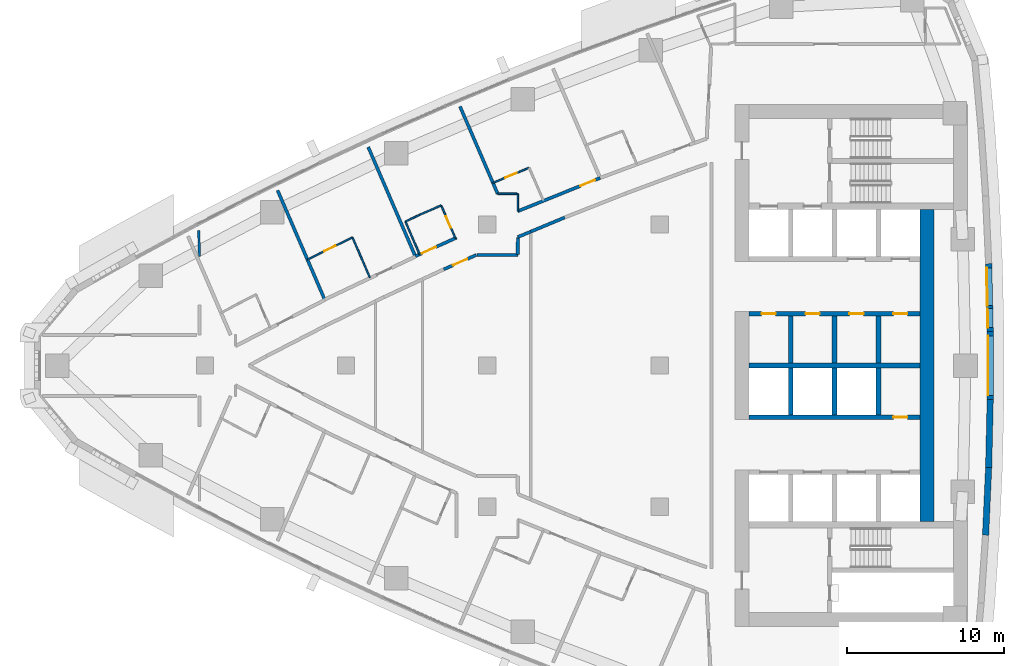
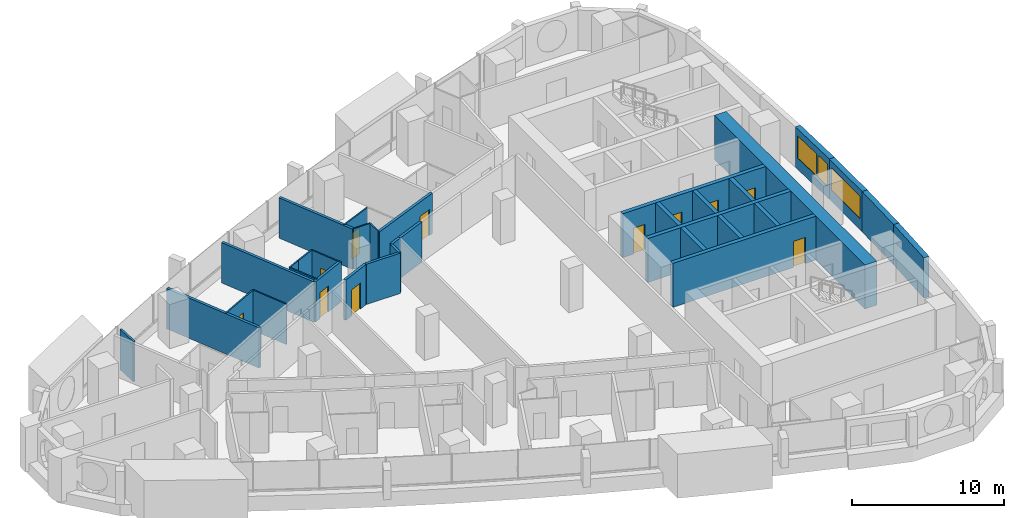
# One storey, part 11 of 17: 34 walls, 11 doors, 3 windows, 14 openings.
"""IFC4 building model written with IfcOpenShell, lengths in metres."""

from ifc_helpers import new_model, si_unit, direction, frame, frame_2d, origin, place, context, subcontext, project, spatial, polyline, rectangle, outline, extrude, material, layer, layer_set, type_object, element, fill, save


model = new_model("IFC4")

# Units and contexts
model_context = context("Model", 3, precision=1e-05, world=origin(), true_north=direction((0.0, 1.0)))
body_context = subcontext(model_context, "Body", "Model", "MODEL_VIEW")
ifc_project = project(units=[si_unit("LENGTHUNIT", "METRE"), si_unit("AREAUNIT", "SQUARE_METRE"), si_unit("VOLUMEUNIT", "CUBIC_METRE"), si_unit("PLANEANGLEUNIT", "RADIAN"), si_unit("MASSUNIT", "GRAM", prefix="KILO")], contexts=[model_context])

# Site, building, storey
site_placement = place(None, origin())
site = spatial("IfcSite", under=ifc_project, at=site_placement, CompositionType="ELEMENT")
building_placement = place(site_placement, origin())
building = spatial("IfcBuilding", under=site, at=building_placement, Name="Ostrand Prow Hotel Tower", CompositionType="ELEMENT")
storey_placement = place(building_placement, frame((0.0, 0.0, 151.5)))
storey = spatial("IfcBuildingStorey", under=building, at=storey_placement, Name="L37", CompositionType="ELEMENT", Elevation=151.5)

# Wall
ifc_material_1 = material(Name="Concrete C70/85", Category="concrete")
ifc_layer_1 = layer(ifc_material_1, 0.300048828125)
ifc_layer_set_1 = layer_set([ifc_layer_1], Name="Concrete C70/85")
wall_type_1 = type_object("IfcWallType", Name="Core wall 300 C70/85", PredefinedType="SHEAR", material=ifc_layer_set_1)
wall_1_placement = place(storey_placement, frame((50.699951171875, 0.0, 0.0), z_axis=(0.0, 0.0, 1.0), x_axis=(1.0, 0.0, 0.0)))
element("IfcWall", 1, at=wall_1_placement, inside=storey, type_object=wall_type_1, Name="Core wall PW-C", PredefinedType="SHEAR", context=body_context, shape_type="SweptSolid", body=[
    extrude(rectangle(XDim=10.900146484375, YDim=0.300048828125, at=frame_2d((5.4501953125, 0.0))), origin(), (0.0, 0.0, 1.0), 3.550048828125),
])

# Wall, openings, doors
wall_2_placement = place(storey_placement, frame((50.699951171875, 3.300048828125, 0.0), z_axis=(0.0, 0.0, 1.0), x_axis=(1.0, 0.0, 0.0)))
wall_2 = element("IfcWall", 2, at=wall_2_placement, inside=storey, type_object=wall_type_1, Name="Core wall PW-L1-N", PredefinedType="SHEAR", context=body_context, shape_type="SweptSolid", body=[
    extrude(rectangle(XDim=10.900146484375, YDim=0.300048828125, at=frame_2d((5.4501953125, 0.0))), origin(), (0.0, 0.0, 1.0), 3.550048828125),
])
opening_1_placement = place(wall_2_placement, frame((0.800048828125, 0.0, 0.0)))
opening_1 = element("IfcOpeningElement", 3, at=opening_1_placement, cuts=wall_2, Name="Opening FD2", PredefinedType="OPENING", context=body_context, shape_type="SweptSolid", body=[
    extrude(rectangle(XDim=0.89990234375, YDim=2.10009765625, at=frame_2d((0.449951171875, 1.050048828125))), frame((0.0, 0.159912109375, 0.0), z_axis=(0.0, -1.0, 0.0), x_axis=(1.0, 0.0, 0.0)), (0.0, 0.0, 1.0), 0.320068359375),
])
opening_2_placement = place(wall_2_placement, frame((3.60009765625, 0.0, 0.0)))
opening_2 = element("IfcOpeningElement", 4, at=opening_2_placement, cuts=wall_2, Name="Opening FD2", PredefinedType="OPENING", context=body_context, shape_type="SweptSolid", body=[
    extrude(rectangle(XDim=0.89990234375, YDim=2.10009765625, at=frame_2d((0.449951171875, 1.050048828125))), frame((0.0, 0.159912109375, 0.0), z_axis=(0.0, -1.0, 0.0), x_axis=(1.0, 0.0, 0.0)), (0.0, 0.0, 1.0), 0.320068359375),
])
opening_3_placement = place(wall_2_placement, frame((6.39990234375, 0.0, 0.0)))
opening_3 = element("IfcOpeningElement", 5, at=opening_3_placement, cuts=wall_2, Name="Opening FD2", PredefinedType="OPENING", context=body_context, shape_type="SweptSolid", body=[
    extrude(rectangle(XDim=0.89990234375, YDim=2.10009765625, at=frame_2d((0.449951171875, 1.050048828125))), frame((0.0, 0.159912109375, 0.0), z_axis=(0.0, -1.0, 0.0), x_axis=(1.0, 0.0, 0.0)), (0.0, 0.0, 1.0), 0.320068359375),
])
opening_4_placement = place(wall_2_placement, frame((9.199951171875, 0.0, 0.0)))
opening_4 = element("IfcOpeningElement", 6, at=opening_4_placement, cuts=wall_2, Name="Opening FD2", PredefinedType="OPENING", context=body_context, shape_type="SweptSolid", body=[
    extrude(rectangle(XDim=0.89990234375, YDim=2.10009765625, at=frame_2d((0.449951171875, 1.050048828125))), frame((0.0, 0.159912109375, 0.0), z_axis=(0.0, -1.0, 0.0), x_axis=(1.0, 0.0, 0.0)), (0.0, 0.0, 1.0), 0.320068359375),
])
ifc_material_2 = material(Name="Steel fire door", Category="steel")
door_type_1 = type_object("IfcDoorType", Name="Fire door 900 EI120", OperationType="SINGLE_SWING_LEFT", PredefinedType="DOOR", material=ifc_material_2)
door_1_placement = place(opening_1_placement, origin())
door_1 = element("IfcDoor", 7, at=door_1_placement, inside=storey, type_object=door_type_1, Name="DOOR", OperationType="SINGLE_SWING_LEFT", OverallHeight=2.10009765625, OverallWidth=0.89990234375, PredefinedType="DOOR", context=body_context, shape_type="SweptSolid", body=[
    extrude(rectangle(XDim=0.89990234375, YDim=2.10009765625, at=frame_2d((0.449951171875, 1.050048828125))), frame((0.0, 0.02490234375, 0.0), z_axis=(0.0, -1.0, 0.0), x_axis=(1.0, 0.0, 0.0)), (0.0, 0.0, 1.0), 0.050048828125),
])
fill(opening_1, door_1)
door_2_placement = place(opening_2_placement, origin())
door_2 = element("IfcDoor", 8, at=door_2_placement, inside=storey, type_object=door_type_1, Name="DOOR", OperationType="SINGLE_SWING_LEFT", OverallHeight=2.10009765625, OverallWidth=0.89990234375, PredefinedType="DOOR", context=body_context, shape_type="SweptSolid", body=[
    extrude(rectangle(XDim=0.89990234375, YDim=2.10009765625, at=frame_2d((0.449951171875, 1.050048828125))), frame((0.0, 0.02490234375, 0.0), z_axis=(0.0, -1.0, 0.0), x_axis=(1.0, 0.0, 0.0)), (0.0, 0.0, 1.0), 0.050048828125),
])
fill(opening_2, door_2)
door_3_placement = place(opening_3_placement, origin())
door_3 = element("IfcDoor", 9, at=door_3_placement, inside=storey, type_object=door_type_1, Name="DOOR", OperationType="SINGLE_SWING_LEFT", OverallHeight=2.10009765625, OverallWidth=0.89990234375, PredefinedType="DOOR", context=body_context, shape_type="SweptSolid", body=[
    extrude(rectangle(XDim=0.89990234375, YDim=2.10009765625, at=frame_2d((0.449951171875, 1.050048828125))), frame((0.0, 0.02490234375, 0.0), z_axis=(0.0, -1.0, 0.0), x_axis=(1.0, 0.0, 0.0)), (0.0, 0.0, 1.0), 0.050048828125),
])
fill(opening_3, door_3)
door_4_placement = place(opening_4_placement, origin())
door_4 = element("IfcDoor", 10, at=door_4_placement, inside=storey, type_object=door_type_1, Name="DOOR", OperationType="SINGLE_SWING_LEFT", OverallHeight=2.10009765625, OverallWidth=0.89990234375, PredefinedType="DOOR", context=body_context, shape_type="SweptSolid", body=[
    extrude(rectangle(XDim=0.89990234375, YDim=2.10009765625, at=frame_2d((0.449951171875, 1.050048828125))), frame((0.0, 0.02490234375, 0.0), z_axis=(0.0, -1.0, 0.0), x_axis=(1.0, 0.0, 0.0)), (0.0, 0.0, 1.0), 0.050048828125),
])
fill(opening_4, door_4)

# Walls
for number, where, z_axis, x_axis, name in (
    (11, (53.35009765625, 0.14990234375, 0.0), (0.0, 0.0, 1.0), (0.0, 1.0, 0.0), "Core wall PW-R1-NB"),
    (12, (56.14990234375, 0.14990234375, 0.0), (0.0, 0.0, 1.0), (0.0, 1.0, 0.0), "Core wall PW-R2-NB"),
    (13, (58.949951171875, 0.14990234375, 0.0), (0.0, 0.0, 1.0), (0.0, 1.0, 0.0), "Core wall PW-R3-NB"),
):
    element("IfcWall", number, at=place(storey_placement, frame(where, z_axis=z_axis, x_axis=x_axis)), inside=storey, type_object=wall_type_1, Name=name, PredefinedType="SHEAR", context=body_context, shape_type="SweptSolid", body=[
        extrude(rectangle(XDim=3.0, YDim=0.300048828125, at=frame_2d((1.5, 0.0))), origin(), (0.0, 0.0, 1.0), 3.550048828125),
    ])

# Wall, opening, door
wall_3_placement = place(storey_placement, frame((50.699951171875, -3.300048828125, 0.0), z_axis=(0.0, 0.0, 1.0), x_axis=(1.0, 0.0, 0.0)))
wall_3 = element("IfcWall", 14, at=wall_3_placement, inside=storey, type_object=wall_type_1, Name="Core wall PW-L1-S", PredefinedType="SHEAR", context=body_context, shape_type="SweptSolid", body=[
    extrude(rectangle(XDim=10.900146484375, YDim=0.300048828125, at=frame_2d((5.4501953125, 0.0))), origin(), (0.0, 0.0, 1.0), 3.550048828125),
])
opening_5_placement = place(wall_3_placement, frame((9.199951171875, 0.0, 0.0)))
opening_5 = element("IfcOpeningElement", 15, at=opening_5_placement, cuts=wall_3, Name="Opening FD2", PredefinedType="OPENING", context=body_context, shape_type="SweptSolid", body=[
    extrude(rectangle(XDim=0.89990234375, YDim=2.10009765625, at=frame_2d((0.449951171875, 1.050048828125))), frame((0.0, 0.159912109375, 0.0), z_axis=(0.0, -1.0, 0.0), x_axis=(1.0, 0.0, 0.0)), (0.0, 0.0, 1.0), 0.320068359375),
])
door_5_placement = place(opening_5_placement, origin())
door_5 = element("IfcDoor", 16, at=door_5_placement, inside=storey, type_object=door_type_1, Name="DOOR", OperationType="SINGLE_SWING_LEFT", OverallHeight=2.10009765625, OverallWidth=0.89990234375, PredefinedType="DOOR", context=body_context, shape_type="SweptSolid", body=[
    extrude(rectangle(XDim=0.89990234375, YDim=2.10009765625, at=frame_2d((0.449951171875, 1.050048828125))), frame((0.0, 0.02490234375, 0.0), z_axis=(0.0, -1.0, 0.0), x_axis=(1.0, 0.0, 0.0)), (0.0, 0.0, 1.0), 0.050048828125),
])
fill(opening_5, door_5)

# Walls
for number, where, z_axis, x_axis, name in (
    (17, (53.35009765625, -3.14990234375, 0.0), (0.0, 0.0, 1.0), (0.0, 1.0, 0.0), "Core wall PW-R1-SB"),
    (18, (56.14990234375, -3.14990234375, 0.0), (0.0, 0.0, 1.0), (0.0, 1.0, 0.0), "Core wall PW-R2-SB"),
    (19, (58.949951171875, -3.14990234375, 0.0), (0.0, 0.0, 1.0), (0.0, 1.0, 0.0), "Core wall PW-R3-SB"),
):
    element("IfcWall", number, at=place(storey_placement, frame(where, z_axis=z_axis, x_axis=x_axis)), inside=storey, type_object=wall_type_1, Name=name, PredefinedType="SHEAR", context=body_context, shape_type="SweptSolid", body=[
        extrude(rectangle(XDim=3.0, YDim=0.300048828125, at=frame_2d((1.5, 0.0))), origin(), (0.0, 0.0, 1.0), 3.550048828125),
    ])
ifc_material_3 = material(Name="Concrete C70/85", Category="concrete")
ifc_layer_2 = layer(ifc_material_3, 0.89990234375)
ifc_layer_set_2 = layer_set([ifc_layer_2], Name="Concrete C70/85")
wall_type_2 = type_object("IfcWallType", Name="Core wall 900 C70/85", PredefinedType="SHEAR", material=ifc_layer_set_2)
wall_4_placement = place(storey_placement, frame((62.050048828125, -9.949951171875, 0.0), z_axis=(0.0, 0.0, 1.0), x_axis=(0.0, 1.0, 0.0)))
element("IfcWall", 20, at=wall_4_placement, inside=storey, type_object=wall_type_2, Name="Core wall CW-E-C", PredefinedType="SHEAR", context=body_context, shape_type="SweptSolid", body=[
    extrude(rectangle(XDim=19.89990234375, YDim=0.89990234375, at=frame_2d((9.949951171875, 0.0))), origin(), (0.0, 0.0, 1.0), 3.550048828125),
])

# Wall, opening, door
ifc_material_4 = material(Name="Plasterboard partition")
ifc_layer_3 = layer(ifc_material_4, 0.10009765625)
ifc_layer_set_3 = layer_set([ifc_layer_3], Name="Plasterboard partition")
wall_type_3 = type_object("IfcWallType", Name="Partition 100 bathroom wall", PredefinedType="PARTITIONING", material=ifc_layer_set_3)
wall_5_placement = place(storey_placement, frame((22.5380859375, 6.760986328125, 0.0), z_axis=(0.0, 0.0, 1.0), x_axis=(0.898160376677, 0.439667985834, 0.0)))
wall_5 = element("IfcWall", 21, at=wall_5_placement, inside=storey, type_object=wall_type_3, Name="BATHROOM WALL", PredefinedType="PARTITIONING", context=body_context, shape_type="SweptSolid", body=[
    extrude(rectangle(XDim=3.203369140625, YDim=0.10009765625, at=frame_2d((1.6015625, 0.0))), origin(), (0.0, 0.0, 1.0), 3.25),
])
opening_6_placement = place(wall_5_placement, frame((1.199951171875, 0.0, 0.0)))
opening_6 = element("IfcOpeningElement", 22, at=opening_6_placement, cuts=wall_5, Name="Opening D2", PredefinedType="OPENING", context=body_context, shape_type="SweptSolid", body=[
    extrude(rectangle(XDim=0.800048828125, YDim=2.10009765625, at=frame_2d((0.39990234375, 1.050048828125))), frame((0.0, 0.06005859375, 0.0), z_axis=(0.0, -1.0, 0.0), x_axis=(1.0, 0.0, 0.0)), (0.0, 0.0, 1.0), 0.1201171875),
])
ifc_material_5 = material(Name="Timber door leaf", Category="wood")
door_type_2 = type_object("IfcDoorType", Name="Bathroom door 800", OperationType="SINGLE_SWING_LEFT", PredefinedType="DOOR", material=ifc_material_5)
door_6_placement = place(opening_6_placement, origin())
door_6 = element("IfcDoor", 23, at=door_6_placement, inside=storey, type_object=door_type_2, Name="DOOR", OperationType="SINGLE_SWING_LEFT", OverallHeight=2.10009765625, OverallWidth=0.800048828125, PredefinedType="DOOR", context=body_context, shape_type="SweptSolid", body=[
    extrude(rectangle(XDim=0.800048828125, YDim=2.10009765625, at=frame_2d((0.39990234375, 1.050048828125))), frame((0.0, 0.02490234375, 0.0), z_axis=(0.0, -1.0, 0.0), x_axis=(1.0, 0.0, 0.0)), (0.0, 0.0, 1.0), 0.050048828125),
])
fill(opening_6, door_6)

# Walls
wall_6_placement = place(storey_placement, frame((25.41552734375, 8.16943359375, 0.0), z_axis=(0.0, 0.0, 1.0), x_axis=(0.395985125724, -0.918256924943, 0.0)))
element("IfcWall", 24, at=wall_6_placement, inside=storey, type_object=wall_type_3, Name="BATHROOM WALL", PredefinedType="PARTITIONING", context=body_context, shape_type="SweptSolid", body=[
    extrude(rectangle(XDim=2.780029296875, YDim=0.10009765625, at=frame_2d((1.39013671875, 0.0))), origin(), (0.0, 0.0, 1.0), 3.25),
])
wall_7_placement = place(storey_placement, frame((28.787353515625, 9.189453125, 0.0), z_axis=(0.0, 0.0, 1.0), x_axis=(0.906840099005, 0.421474832982, 0.0)))
element("IfcWall", 25, at=wall_7_placement, inside=storey, type_object=wall_type_3, Name="BATHROOM WALL", PredefinedType="PARTITIONING", context=body_context, shape_type="SweptSolid", body=[
    extrude(rectangle(XDim=0.966796875, YDim=0.10009765625, at=frame_2d((0.4833984375, 0.0))), origin(), (0.0, 0.0, 1.0), 3.25),
])
wall_8_placement = place(storey_placement, frame((29.664306640625, 9.596923828125, 0.0), z_axis=(0.0, 0.0, 1.0), x_axis=(0.915061287592, 0.403314814942, 0.0)))
element("IfcWall", 26, at=wall_8_placement, inside=storey, type_object=wall_type_3, Name="BATHROOM WALL", PredefinedType="PARTITIONING", context=body_context, shape_type="SweptSolid", body=[
    extrude(rectangle(XDim=1.533203125, YDim=0.10009765625, at=frame_2d((0.7666015625, 0.0))), origin(), (0.0, 0.0, 1.0), 3.25),
])

# Wall, opening, door
wall_9_placement = place(storey_placement, frame((31.0673828125, 10.21533203125, 0.0), z_axis=(0.0, 0.0, 1.0), x_axis=(0.395975890988, -0.918260907235, 0.0)))
wall_9 = element("IfcWall", 27, at=wall_9_placement, inside=storey, type_object=wall_type_3, Name="BATHROOM WALL", PredefinedType="PARTITIONING", context=body_context, shape_type="SweptSolid", body=[
    extrude(rectangle(XDim=2.27685546875, YDim=0.10009765625, at=frame_2d((1.138427734375, 0.0))), origin(), (0.0, 0.0, 1.0), 3.25),
])
opening_7_placement = place(wall_9_placement, frame((0.75, 0.0, 0.0)))
opening_7 = element("IfcOpeningElement", 28, at=opening_7_placement, cuts=wall_9, Name="Opening D2", PredefinedType="OPENING", context=body_context, shape_type="SweptSolid", body=[
    extrude(rectangle(XDim=0.800048828125, YDim=2.10009765625, at=frame_2d((0.39990234375, 1.050048828125))), frame((0.0, 0.06005859375, 0.0), z_axis=(0.0, -1.0, 0.0), x_axis=(1.0, 0.0, 0.0)), (0.0, 0.0, 1.0), 0.1201171875),
])
door_7_placement = place(opening_7_placement, origin())
door_7 = element("IfcDoor", 29, at=door_7_placement, inside=storey, type_object=door_type_2, Name="DOOR", OperationType="SINGLE_SWING_LEFT", OverallHeight=2.10009765625, OverallWidth=0.800048828125, PredefinedType="DOOR", context=body_context, shape_type="SweptSolid", body=[
    extrude(rectangle(XDim=0.800048828125, YDim=2.10009765625, at=frame_2d((0.39990234375, 1.050048828125))), frame((0.0, 0.02490234375, 0.0), z_axis=(0.0, -1.0, 0.0), x_axis=(1.0, 0.0, 0.0)), (0.0, 0.0, 1.0), 0.050048828125),
])
fill(opening_7, door_7)

# Wall
wall_10_placement = place(storey_placement, frame((29.689208984375, 7.09765625, 0.0), z_axis=(0.0, 0.0, 1.0), x_axis=(-0.395910380035, 0.918289154341, 0.0)))
element("IfcWall", 30, at=wall_10_placement, inside=storey, type_object=wall_type_3, Name="BATHROOM WALL", PredefinedType="PARTITIONING", context=body_context, shape_type="SweptSolid", body=[
    extrude(rectangle(XDim=2.27783203125, YDim=0.10009765625, at=frame_2d((1.138916015625, 0.0))), origin(), (0.0, 0.0, 1.0), 3.25),
])

# Wall, opening, door
wall_11_placement = place(storey_placement, frame((34.368896484375, 11.65087890625, 0.0), z_axis=(0.0, 0.0, 1.0), x_axis=(0.923019129633, 0.384754059538, 0.0)))
wall_11 = element("IfcWall", 31, at=wall_11_placement, inside=storey, type_object=wall_type_3, Name="BATHROOM WALL", PredefinedType="PARTITIONING", context=body_context, shape_type="SweptSolid", body=[
    extrude(rectangle(XDim=2.5, YDim=0.10009765625, at=frame_2d((1.25, 0.0))), origin(), (0.0, 0.0, 1.0), 3.25),
])
opening_8_placement = place(wall_11_placement, frame((0.85009765625, 0.0, 0.0)))
opening_8 = element("IfcOpeningElement", 32, at=opening_8_placement, cuts=wall_11, Name="Opening D2", PredefinedType="OPENING", context=body_context, shape_type="SweptSolid", body=[
    extrude(rectangle(XDim=0.800048828125, YDim=2.10009765625, at=frame_2d((0.39990234375, 1.050048828125))), frame((0.0, 0.06005859375, 0.0), z_axis=(0.0, -1.0, 0.0), x_axis=(1.0, 0.0, 0.0)), (0.0, 0.0, 1.0), 0.1201171875),
])
door_8_placement = place(opening_8_placement, origin())
door_8 = element("IfcDoor", 33, at=door_8_placement, inside=storey, type_object=door_type_2, Name="DOOR", OperationType="SINGLE_SWING_LEFT", OverallHeight=2.10009765625, OverallWidth=0.800048828125, PredefinedType="DOOR", context=body_context, shape_type="SweptSolid", body=[
    extrude(rectangle(XDim=0.800048828125, YDim=2.10009765625, at=frame_2d((0.39990234375, 1.050048828125))), frame((0.0, 0.02490234375, 0.0), z_axis=(0.0, -1.0, 0.0), x_axis=(1.0, 0.0, 0.0)), (0.0, 0.0, 1.0), 0.050048828125),
])
fill(opening_8, door_8)

# Walls
wall_12_placement = place(storey_placement, frame((35.95703125, 9.82666015625, 0.0), z_axis=(0.0, 0.0, 1.0), x_axis=(-0.002817500737, 0.999996030837, 0.0)))
element("IfcWall", 34, at=wall_12_placement, inside=storey, type_object=wall_type_3, Name="BATHROOM WALL", PredefinedType="PARTITIONING", context=body_context, shape_type="SweptSolid", body=[
    extrude(rectangle(XDim=1.12646484375, YDim=0.10009765625, at=frame_2d((0.563232421875, 0.0))), origin(), (0.0, 0.0, 1.0), 3.25),
])
wall_13_placement = place(storey_placement, frame((35.953857421875, 10.953125, 0.0), z_axis=(0.0, 0.0, 1.0), x_axis=(-0.999998845172, 0.001519755084, 0.0)))
element("IfcWall", 35, at=wall_13_placement, inside=storey, type_object=wall_type_3, Name="BATHROOM WALL", PredefinedType="PARTITIONING", context=body_context, shape_type="SweptSolid", body=[
    extrude(rectangle(XDim=1.28515625, YDim=0.10009765625, at=frame_2d((0.642578125, 0.0))), origin(), (0.0, 0.0, 1.0), 3.25),
])
ifc_material_6 = material(Name="Plasterboard partition")
ifc_layer_4 = layer(ifc_material_6, 0.14990234375)
ifc_layer_set_4 = layer_set([ifc_layer_4], Name="Plasterboard partition")
wall_type_4 = type_object("IfcWallType", Name="Partition 150 room partition", PredefinedType="PARTITIONING", material=ifc_layer_set_4)
wall_14_placement = place(storey_placement, frame((15.603759765625, 8.60888671875, 0.0), z_axis=(0.0, 0.0, 1.0), x_axis=(0.033196927484, -0.999448830109, 0.0)))
element("IfcWall", 36, at=wall_14_placement, inside=storey, type_object=wall_type_4, Name="ROOM PARTITION", PredefinedType="PARTITIONING", context=body_context, shape_type="SweptSolid", body=[
    extrude(rectangle(XDim=1.65478515625, YDim=0.14990234375, at=frame_2d((0.827392578125, 0.0))), origin(), (0.0, 0.0, 1.0), 3.25),
])

# Wall, opening, door
ifc_material_7 = material(Name="Plasterboard partition")
ifc_layer_5 = layer(ifc_material_7, 0.199951171875)
ifc_layer_set_5 = layer_set([ifc_layer_5], Name="Plasterboard partition")
wall_type_5 = type_object("IfcWallType", Name="Partition 200 corridor wall", PredefinedType="PARTITIONING", material=ifc_layer_set_5)
wall_15_placement = place(storey_placement, frame((32.050048828125, 8.15673828125, 0.0), z_axis=(0.0, 0.0, 1.0), x_axis=(-0.9114145851, -0.411489312215, 0.0)))
wall_15 = element("IfcWall", 37, at=wall_15_placement, inside=storey, type_object=wall_type_5, Name="CORRIDOR WALL", PredefinedType="PARTITIONING", context=body_context, shape_type="SweptSolid", body=[
    extrude(rectangle(XDim=2.8876953125, YDim=0.199951171875, at=frame_2d((1.44384765625, 0.0))), origin(), (0.0, 0.0, 1.0), 3.25),
])
opening_9_placement = place(wall_15_placement, frame((1.4375, 0.0, 0.0)))
opening_9 = element("IfcOpeningElement", 38, at=opening_9_placement, cuts=wall_15, Name="Opening D1R", PredefinedType="OPENING", context=body_context, shape_type="SweptSolid", body=[
    extrude(rectangle(XDim=1.0, YDim=2.10009765625, at=frame_2d((0.5, 1.050048828125))), frame((0.0, 0.10986328125, 0.0), z_axis=(0.0, -1.0, 0.0), x_axis=(1.0, 0.0, 0.0)), (0.0, 0.0, 1.0), 0.219970703125),
])
ifc_material_8 = material(Name="Timber door leaf", Category="wood")
door_type_3 = type_object("IfcDoorType", Name="Guest room door 1000 right", OperationType="SINGLE_SWING_RIGHT", PredefinedType="DOOR", material=ifc_material_8)
door_9_placement = place(opening_9_placement, origin())
door_9 = element("IfcDoor", 39, at=door_9_placement, inside=storey, type_object=door_type_3, Name="DOOR", OperationType="SINGLE_SWING_RIGHT", OverallHeight=2.10009765625, OverallWidth=1.0, PredefinedType="DOOR", context=body_context, shape_type="SweptSolid", body=[
    extrude(rectangle(XDim=1.0, YDim=2.10009765625, at=frame_2d((0.5, 1.050048828125))), frame((0.0, 0.02490234375, 0.0), z_axis=(0.0, -1.0, 0.0), x_axis=(1.0, 0.0, 0.0)), (0.0, 0.0, 1.0), 0.050048828125),
])
fill(opening_9, door_9)

wall_16_placement = place(storey_placement, frame((41.20361328125, 11.963623046875, 0.0), z_axis=(0.0, 0.0, 1.0), x_axis=(-0.927127583339, -0.374745839485, 0.0)))
wall_16 = element("IfcWall", 40, at=wall_16_placement, inside=storey, type_object=wall_type_5, Name="CORRIDOR WALL", PredefinedType="PARTITIONING", context=body_context, shape_type="SweptSolid", body=[
    extrude(rectangle(XDim=5.66650390625, YDim=0.199951171875, at=frame_2d((2.833251953125, 0.0))), origin(), (0.0, 0.0, 1.0), 3.25),
])
opening_10_placement = place(wall_16_placement, frame((0.35009765625, 0.0, 0.0)))
opening_10 = element("IfcOpeningElement", 41, at=opening_10_placement, cuts=wall_16, Name="Opening D1R", PredefinedType="OPENING", context=body_context, shape_type="SweptSolid", body=[
    extrude(rectangle(XDim=1.0, YDim=2.10009765625, at=frame_2d((0.5, 1.050048828125))), frame((0.0, 0.10986328125, 0.0), z_axis=(0.0, -1.0, 0.0), x_axis=(1.0, 0.0, 0.0)), (0.0, 0.0, 1.0), 0.219970703125),
])
door_10_placement = place(opening_10_placement, origin())
door_10 = element("IfcDoor", 42, at=door_10_placement, inside=storey, type_object=door_type_3, Name="DOOR", OperationType="SINGLE_SWING_RIGHT", OverallHeight=2.10009765625, OverallWidth=1.0, PredefinedType="DOOR", context=body_context, shape_type="SweptSolid", body=[
    extrude(rectangle(XDim=1.0, YDim=2.10009765625, at=frame_2d((0.5, 1.050048828125))), frame((0.0, 0.02490234375, 0.0), z_axis=(0.0, -1.0, 0.0), x_axis=(1.0, 0.0, 0.0)), (0.0, 0.0, 1.0), 0.050048828125),
])
fill(opening_10, door_10)

wall_17_placement = place(storey_placement, frame((31.231201171875, 6.135009765625, 0.0), z_axis=(0.0, 0.0, 1.0), x_axis=(0.915102334452, 0.403221672881, 0.0)))
wall_17 = element("IfcWall", 43, at=wall_17_placement, inside=storey, type_object=wall_type_5, Name="CORRIDOR WALL", PredefinedType="PARTITIONING", context=body_context, shape_type="SweptSolid", body=[
    extrude(rectangle(XDim=2.269287109375, YDim=0.199951171875, at=frame_2d((1.134765625, 0.0))), origin(), (0.0, 0.0, 1.0), 3.25),
])
opening_11_placement = place(wall_17_placement, frame((0.634521484375, 0.0, 0.0)))
opening_11 = element("IfcOpeningElement", 44, at=opening_11_placement, cuts=wall_17, Name="Opening D1", PredefinedType="OPENING", context=body_context, shape_type="SweptSolid", body=[
    extrude(rectangle(XDim=1.0, YDim=2.10009765625, at=frame_2d((0.5, 1.050048828125))), frame((0.0, 0.10986328125, 0.0), z_axis=(0.0, -1.0, 0.0), x_axis=(1.0, 0.0, 0.0)), (0.0, 0.0, 1.0), 0.219970703125),
])
ifc_material_9 = material(Name="Timber door leaf", Category="wood")
door_type_4 = type_object("IfcDoorType", Name="Guest room door 1000", OperationType="SINGLE_SWING_LEFT", PredefinedType="DOOR", material=ifc_material_9)
door_11_placement = place(opening_11_placement, origin())
door_11 = element("IfcDoor", 45, at=door_11_placement, inside=storey, type_object=door_type_4, Name="DOOR", OperationType="SINGLE_SWING_LEFT", OverallHeight=2.10009765625, OverallWidth=1.0, PredefinedType="DOOR", context=body_context, shape_type="SweptSolid", body=[
    extrude(rectangle(XDim=1.0, YDim=2.10009765625, at=frame_2d((0.5, 1.050048828125))), frame((0.0, 0.02490234375, 0.0), z_axis=(0.0, -1.0, 0.0), x_axis=(1.0, 0.0, 0.0)), (0.0, 0.0, 1.0), 0.050048828125),
])
fill(opening_11, door_11)

# Walls
wall_18_placement = place(storey_placement, frame((35.949951171875, 8.193115234375, 0.0), z_axis=(0.0, 0.0, 1.0), x_axis=(0.922997009646, 0.384807120756, 0.0)))
element("IfcWall", 46, at=wall_18_placement, inside=storey, type_object=wall_type_5, Name="CORRIDOR WALL", PredefinedType="PARTITIONING", context=body_context, shape_type="SweptSolid", body=[
    extrude(rectangle(XDim=0.904052734375, YDim=0.199951171875, at=frame_2d((0.4521484375, 0.0))), origin(), (0.0, 0.0, 1.0), 3.25),
])
wall_19_placement = place(storey_placement, frame((36.784423828125, 8.541015625, 0.0), z_axis=(0.0, 0.0, 1.0), x_axis=(0.923008963065, 0.384778448073, 0.0)))
element("IfcWall", 47, at=wall_19_placement, inside=storey, type_object=wall_type_5, Name="CORRIDOR WALL", PredefinedType="PARTITIONING", context=body_context, shape_type="SweptSolid", body=[
    extrude(rectangle(XDim=2.3388671875, YDim=0.199951171875, at=frame_2d((1.16943359375, 0.0))), origin(), (0.0, 0.0, 1.0), 3.25),
])
wall_20_placement = place(storey_placement, frame((33.347412109375, 7.044921875, 0.0), z_axis=(0.0, 0.0, 1.0), x_axis=(0.999999982426, 0.000187476562, 0.0)))
element("IfcWall", 48, at=wall_20_placement, inside=storey, type_object=wall_type_5, Name="CORRIDOR WALL", PredefinedType="PARTITIONING", context=body_context, shape_type="SweptSolid", body=[
    extrude(rectangle(XDim=2.6044921875, YDim=0.199951171875, at=frame_2d((1.30224609375, 0.0))), origin(), (0.0, 0.0, 1.0), 3.25),
])
wall_21_placement = place(storey_placement, frame((35.951904296875, 7.08544921875, 0.0), z_axis=(0.0, 0.0, 1.0), x_axis=(0.002742846825, 0.999996238389, 0.0)))
element("IfcWall", 49, at=wall_21_placement, inside=storey, type_object=wall_type_5, Name="CORRIDOR WALL", PredefinedType="PARTITIONING", context=body_context, shape_type="SweptSolid", body=[
    extrude(rectangle(XDim=1.068115234375, YDim=0.199951171875, at=frame_2d((0.5341796875, 0.0))), origin(), (0.0, 0.0, 1.0), 3.25),
])
ifc_material_10 = material(Name="Plasterboard partition")
ifc_layer_6 = layer(ifc_material_10, 0.199951171875)
ifc_layer_set_6 = layer_set([ifc_layer_6], Name="Plasterboard partition")
wall_type_6 = type_object("IfcWallType", Name="Partition 200 key partition", PredefinedType="PARTITIONING", material=ifc_layer_set_6)
wall_22_placement = place(storey_placement, frame((23.648193359375, 4.18701171875, 0.0), z_axis=(0.0, 0.0, 1.0), x_axis=(-0.396021090347, 0.91824141488, 0.0)))
element("IfcWall", 50, at=wall_22_placement, inside=storey, type_object=wall_type_6, Name="KEY PARTITION", PredefinedType="PARTITIONING", context=body_context, shape_type="SweptSolid", body=[
    extrude(rectangle(XDim=7.608642578125, YDim=0.199951171875, at=frame_2d((3.80419921875, 0.0))), origin(), (0.0, 0.0, 1.0), 3.25),
])
wall_23_placement = place(storey_placement, frame((29.42626953125, 6.9501953125, 0.0), z_axis=(0.0, 0.0, 1.0), x_axis=(-0.396007233012, 0.918247391176, 0.0)))
element("IfcWall", 51, at=wall_23_placement, inside=storey, type_object=wall_type_6, Name="KEY PARTITION", PredefinedType="PARTITIONING", context=body_context, shape_type="SweptSolid", body=[
    extrude(rectangle(XDim=7.602783203125, YDim=0.199951171875, at=frame_2d((3.80126953125, 0.0))), origin(), (0.0, 0.0, 1.0), 3.25),
])
wall_24_placement = place(storey_placement, frame((34.6708984375, 10.949951171875, 0.0), z_axis=(0.0, 0.0, 1.0), x_axis=(-0.395978622303, 0.918259729422, 0.0)))
element("IfcWall", 52, at=wall_24_placement, inside=storey, type_object=wall_type_6, Name="KEY PARTITION", PredefinedType="PARTITIONING", context=body_context, shape_type="SweptSolid", body=[
    extrude(rectangle(XDim=6.063720703125, YDim=0.199951171875, at=frame_2d((3.03173828125, 0.0))), origin(), (0.0, 0.0, 1.0), 3.25),
])
ifc_material_11 = material(Name="Precast concrete C40/50", Category="concrete")
ifc_layer_7 = layer(ifc_material_11, 0.39990234375)
ifc_layer_set_7 = layer_set([ifc_layer_7], Name="Precast concrete C40/50")
wall_type_7 = type_object("IfcWallType", Name="Stone-faced precast wall 400 mm", PredefinedType="NOTDEFINED", material=ifc_layer_set_7)
wall_25_placement = place(storey_placement, frame((65.781982421875, -10.81689453125, 0.0), z_axis=(0.0, 0.0, 1.0), x_axis=(0.045228592312, 0.99897666361, 0.0)))
element("IfcWall", 53, at=wall_25_placement, inside=storey, type_object=wall_type_7, Name="Stone-faced wall back 7", PredefinedType="NOTDEFINED", context=body_context, shape_type="SweptSolid", body=[
    extrude(outline(polyline([(-0.002197265625, -0.199951171875), (4.331298828125, -0.199951171875), (4.326904296875, 0.199951171875), (0.002197265625, 0.199951171875), (-0.002197265625, -0.199951171875)])), origin(), (0.0, 0.0, 1.0), 3.25),
])
wall_26_placement = place(storey_placement, frame((65.977783203125, -6.4921875, 0.0), z_axis=(0.0, 0.0, 1.0), x_axis=(0.02261635063, 0.99974421763, 0.0)))
element("IfcWall", 54, at=wall_26_placement, inside=storey, type_object=wall_type_7, Name="Stone-faced wall back 8", PredefinedType="NOTDEFINED", context=body_context, shape_type="SweptSolid", body=[
    extrude(outline(polyline([(-0.002197265625, -0.199951171875), (4.3310546875, -0.199951171875), (4.32666015625, 0.199951171875), (0.002197265625, 0.199951171875), (-0.002197265625, -0.199951171875)])), origin(), (0.0, 0.0, 1.0), 3.25),
])

# Wall, opening, window
wall_27_placement = place(storey_placement, frame((66.07568359375, -2.16455078125, 0.0), z_axis=(0.0, 0.0, 1.0), x_axis=(0.0, 1.0, 0.0)))
wall_27 = element("IfcWall", 55, at=wall_27_placement, inside=storey, type_object=wall_type_7, Name="Stone-faced wall back 9", PredefinedType="NOTDEFINED", context=body_context, shape_type="SweptSolid", body=[
    extrude(outline(polyline([(-0.002197265625, -0.199951171875), (4.331298828125, -0.199951171875), (4.326904296875, 0.199951171875), (0.002197265625, 0.199951171875), (-0.002197265625, -0.199951171875)])), origin(), (0.0, 0.0, 1.0), 3.25),
])
opening_12_placement = place(wall_27_placement, frame((0.264404296875, 0.0, 0.89990234375)))
opening_12 = element("IfcOpeningElement", 56, at=opening_12_placement, cuts=wall_27, Name="Opening WS3-38", PredefinedType="OPENING", context=body_context, shape_type="SweptSolid", body=[
    extrude(rectangle(XDim=3.800048828125, YDim=1.800048828125, at=frame_2d((1.89990234375, 0.89990234375))), frame((0.0, 0.2099609375, 0.0), z_axis=(0.0, -1.0, 0.0), x_axis=(1.0, 0.0, 0.0)), (0.0, 0.0, 1.0), 0.419921875),
])
ifc_material_12 = material(Name="Insulated glass in bronze frame", Category="glass")
window_type_1 = type_object("IfcWindowType", Name="Strip window 3800x1800", PartitioningType="SINGLE_PANEL", PredefinedType="WINDOW", material=ifc_material_12)
window_1_placement = place(opening_12_placement, origin())
window_1 = element("IfcWindow", 57, at=window_1_placement, inside=storey, type_object=window_type_1, Name="Window back 9.1", OverallHeight=1.800048828125, OverallWidth=3.800048828125, PartitioningType="SINGLE_PANEL", PredefinedType="WINDOW", context=body_context, shape_type="SweptSolid", body=[
    extrude(rectangle(XDim=3.800048828125, YDim=1.800048828125, at=frame_2d((1.89990234375, 0.89990234375))), frame((0.0, 0.169921875, 0.0), z_axis=(0.0, -1.0, 0.0), x_axis=(1.0, 0.0, 0.0)), (0.0, 0.0, 1.0), 0.06005859375),
])
fill(opening_12, window_1)

# Wall, openings, windows
wall_28_placement = place(storey_placement, frame((66.07568359375, 2.16455078125, 0.0), z_axis=(0.0, 0.0, 1.0), x_axis=(-0.02261635063, 0.99974421763, 0.0)))
wall_28 = element("IfcWall", 58, at=wall_28_placement, inside=storey, type_object=wall_type_7, Name="Stone-faced wall back 10", PredefinedType="NOTDEFINED", context=body_context, shape_type="SweptSolid", body=[
    extrude(outline(polyline([(-0.002197265625, -0.199951171875), (4.3310546875, -0.199951171875), (4.32666015625, 0.199951171875), (0.002197265625, 0.199951171875), (-0.002197265625, -0.199951171875)])), origin(), (0.0, 0.0, 1.0), 3.25),
])
opening_13_placement = place(wall_28_placement, frame((0.264404296875, 0.0, 0.89990234375)))
opening_13 = element("IfcOpeningElement", 59, at=opening_13_placement, cuts=wall_28, Name="Opening WS4", PredefinedType="OPENING", context=body_context, shape_type="SweptSolid", body=[
    extrude(rectangle(XDim=1.199951171875, YDim=1.800048828125, at=frame_2d((0.60009765625, 0.89990234375))), frame((0.0, 0.2099609375, 0.0), z_axis=(0.0, -1.0, 0.0), x_axis=(1.0, 0.0, 0.0)), (0.0, 0.0, 1.0), 0.419921875),
])
opening_14_placement = place(wall_28_placement, frame((1.66455078125, 0.0, 0.89990234375)))
opening_14 = element("IfcOpeningElement", 60, at=opening_14_placement, cuts=wall_28, Name="Opening WS5-24", PredefinedType="OPENING", context=body_context, shape_type="SweptSolid", body=[
    extrude(rectangle(XDim=2.39990234375, YDim=1.800048828125, at=frame_2d((1.199951171875, 0.89990234375))), frame((0.0, 0.2099609375, 0.0), z_axis=(0.0, -1.0, 0.0), x_axis=(1.0, 0.0, 0.0)), (0.0, 0.0, 1.0), 0.419921875),
])
ifc_material_13 = material(Name="Insulated glass in bronze frame", Category="glass")
window_type_2 = type_object("IfcWindowType", Name="Fixed strip window 2400x1800", PartitioningType="SINGLE_PANEL", PredefinedType="WINDOW", material=ifc_material_13)
window_2_placement = place(opening_14_placement, origin())
window_2 = element("IfcWindow", 61, at=window_2_placement, inside=storey, type_object=window_type_2, Name="Window back 10.2", OverallHeight=1.800048828125, OverallWidth=2.39990234375, PartitioningType="SINGLE_PANEL", PredefinedType="WINDOW", context=body_context, shape_type="SweptSolid", body=[
    extrude(rectangle(XDim=2.39990234375, YDim=1.800048828125, at=frame_2d((1.199951171875, 0.89990234375))), frame((0.0, 0.169921875, 0.0), z_axis=(0.0, -1.0, 0.0), x_axis=(1.0, 0.0, 0.0)), (0.0, 0.0, 1.0), 0.06005859375),
])
fill(opening_14, window_2)
ifc_material_14 = material(Name="Insulated glass in bronze frame", Category="glass")
window_type_3 = type_object("IfcWindowType", Name="Operable strip panel 1200x1800", PartitioningType="SINGLE_PANEL", PredefinedType="WINDOW", material=ifc_material_14)
window_3_placement = place(opening_13_placement, origin())
window_3 = element("IfcWindow", 62, at=window_3_placement, inside=storey, type_object=window_type_3, Name="Window back 10.1", OverallHeight=1.800048828125, OverallWidth=1.199951171875, PartitioningType="SINGLE_PANEL", PredefinedType="WINDOW", context=body_context, shape_type="SweptSolid", body=[
    extrude(rectangle(XDim=1.199951171875, YDim=1.800048828125, at=frame_2d((0.60009765625, 0.89990234375))), frame((0.0, 0.169921875, 0.0), z_axis=(0.0, -1.0, 0.0), x_axis=(1.0, 0.0, 0.0)), (0.0, 0.0, 1.0), 0.06005859375),
])
fill(opening_13, window_3)

save(model, "model.ifc")
